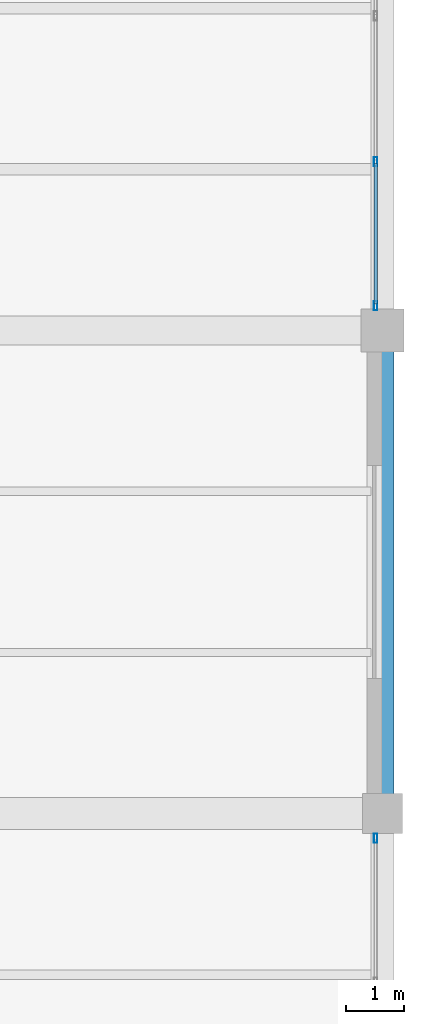
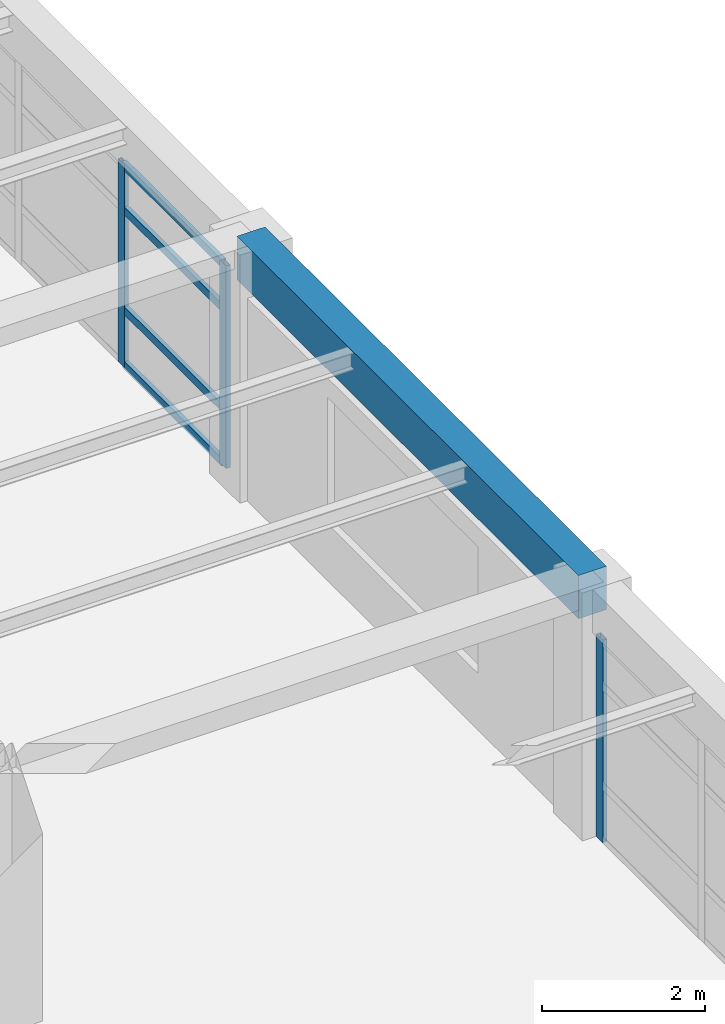
# One storey, part 14 of 26: 7 members, 1 beam, 2 elements without a shape of their own.
"""IFC4 building model written with IfcOpenShell, lengths in metres."""

from ifc_helpers import new_model, si_unit, direction, frame, origin, origin_2d, place, context, subcontext, project, spatial, rectangle, hollow_rectangle, extrude, material, material_profile, profile_set, type_object, element, aggregate, save


model = new_model("IFC4")

# Units and contexts
model_context = context("Model", 3, precision=1e-05, world=origin(), true_north=direction((0.0, 1.0)))
body_context = subcontext(model_context, "Body", "Model", "MODEL_VIEW")
ifc_project = project(units=[si_unit("LENGTHUNIT", "METRE"), si_unit("AREAUNIT", "SQUARE_METRE"), si_unit("VOLUMEUNIT", "CUBIC_METRE"), si_unit("PLANEANGLEUNIT", "RADIAN"), si_unit("MASSUNIT", "GRAM", prefix="KILO")], contexts=[model_context])

# Site, building, storey
site_placement = place(None, origin())
site = spatial("IfcSite", under=ifc_project, at=site_placement, CompositionType="ELEMENT")
building_placement = place(site_placement, origin())
building = spatial("IfcBuilding", under=site, at=building_placement, Name="Almacenes y Pasaje Nevantli", CompositionType="ELEMENT")
storey_placement = place(building_placement, frame((0.0, 0.0, 38.699951171875)))
storey = spatial("IfcBuildingStorey", under=building, at=storey_placement, Name="L09", CompositionType="ELEMENT", Elevation=38.699951171875)

# Beam
ifc_material_1 = material(Name="Concrete C35/45", Category="concrete")
ifc_material_profile_1 = material_profile(ifc_material_1, rectangle(XDim=0.39990234375, YDim=0.64990234375, at=origin_2d()), Name="RC-BM-400x650")
ifc_profile_set_1 = profile_set([ifc_material_profile_1], Name="Concrete C35/45")
beam_type = type_object("IfcBeamType", Name="BM-RC-400x650", PredefinedType="SPANDREL", material=ifc_profile_set_1)
beam_placement = place(storey_placement, frame((159.60009765625, 84.0, 3.39501953125), z_axis=(0.0, 1.0, 0.0), x_axis=(-1.0, 0.0, 0.0)))
element("IfcBeam", 1, at=beam_placement, inside=storey, type_object=beam_type, Name="L09 North-South Reinforced Concrete Beam #3795", PredefinedType="SPANDREL", context=body_context, shape_type="SweptSolid", body=[
    extrude(rectangle(XDim=0.39990234375, YDim=0.64990234375, at=origin_2d()), origin(), (0.0, 0.0, 1.0), 8.39990234375),
])

# Curtain wall, member
ifc_material_2 = material(Name="Thermally Broken Aluminium and Low-E Glass", Category="aluminium")
curtain_wall_type = type_object("IfcCurtainWallType", Name="CW-UNIT-TOWER", PredefinedType="USERDEFINED", material=ifc_material_2)
curtain_wall_1_placement = place(storey_placement, origin())
curtain_wall_1 = element("IfcCurtainWall", 2, at=curtain_wall_1_placement, inside=storey, type_object=curtain_wall_type, Name="L09 Tower East Curtain Wall Bay 10", ObjectType="UNITIZED CURTAIN WALL", PredefinedType="USERDEFINED")
ifc_material_3 = material(Name="Thermally Broken Anodized Aluminium", Category="aluminium")
ifc_material_profile_2 = material_profile(ifc_material_3, hollow_rectangle(XDim=0.06005859375, YDim=0.159912109375, WallThickness=0.00390625, at=origin_2d()), Name="ALU-MUL-60x160")
ifc_profile_set_2 = profile_set([ifc_material_profile_2], Name="Thermally Broken Anodized Aluminium")
member_type_1 = type_object("IfcMemberType", Name="CW-MUL-180", PredefinedType="MULLION", material=ifc_profile_set_2)
member_1_placement = place(storey_placement, frame((159.47998046875, 83.570068359375, 0.0), z_axis=(0.0, 0.0, 1.0), x_axis=(-1.0, 0.0, 0.0)))
member_1 = element("IfcMember", 3, at=member_1_placement, type_object=member_type_1, Name="CW-L09-138 mullion 4", PredefinedType="MULLION", context=body_context, shape_type="SweptSolid", body=[
    extrude(hollow_rectangle(XDim=0.06005859375, YDim=0.159912109375, WallThickness=0.00390625, at=origin_2d()), origin(), (0.0, 0.0, 1.0), 3.0400390625),
])
aggregate(curtain_wall_1, [member_1])

# Curtain wall, members
curtain_wall_2_placement = place(storey_placement, origin())
curtain_wall_2 = element("IfcCurtainWall", 4, at=curtain_wall_2_placement, inside=storey, type_object=curtain_wall_type, Name="L09 Tower East Curtain Wall Bay 12", ObjectType="UNITIZED CURTAIN WALL", PredefinedType="USERDEFINED")
member_2_placement = place(storey_placement, frame((159.47998046875, 92.830078125, 0.0), z_axis=(0.0, 0.0, 1.0), x_axis=(-1.0, 0.0, 0.0)))
member_2 = element("IfcMember", 5, at=member_2_placement, type_object=member_type_1, Name="CW-L09-140 mullion 1", PredefinedType="MULLION", context=body_context, shape_type="SweptSolid", body=[
    extrude(hollow_rectangle(XDim=0.06005859375, YDim=0.159912109375, WallThickness=0.00390625, at=origin_2d()), origin(), (0.0, 0.0, 1.0), 3.0400390625),
])
member_3_placement = place(storey_placement, frame((159.47998046875, 95.333251953125, 0.0), z_axis=(0.0, 0.0, 1.0), x_axis=(-1.0, 0.0, 0.0)))
member_3 = element("IfcMember", 6, at=member_3_placement, type_object=member_type_1, Name="CW-L09-140 mullion 2", PredefinedType="MULLION", context=body_context, shape_type="SweptSolid", body=[
    extrude(hollow_rectangle(XDim=0.06005859375, YDim=0.159912109375, WallThickness=0.00390625, at=origin_2d()), origin(), (0.0, 0.0, 1.0), 3.0400390625),
])
ifc_material_4 = material(Name="Thermally Broken Anodized Aluminium", Category="aluminium")
ifc_material_profile_3 = material_profile(ifc_material_4, hollow_rectangle(XDim=0.06005859375, YDim=0.1201171875, WallThickness=0.00341796875, at=origin_2d()), Name="ALU-TRN-60x120")
ifc_profile_set_3 = profile_set([ifc_material_profile_3], Name="Thermally Broken Anodized Aluminium")
member_type_2 = type_object("IfcMemberType", Name="CW-TRN-130", PredefinedType="USERDEFINED", material=ifc_profile_set_3)
member_4_placement = place(storey_placement, frame((159.47998046875, 92.860107421875, 0.030029296875), z_axis=(0.0, 1.0, 0.0), x_axis=(-1.0, 0.0, 0.0)))
member_4 = element("IfcMember", 7, at=member_4_placement, type_object=member_type_2, Name="CW-L09-140 transom 1.1", ObjectType="TRANSOM", PredefinedType="USERDEFINED", context=body_context, shape_type="SweptSolid", body=[
    extrude(hollow_rectangle(XDim=0.06005859375, YDim=0.1201171875, WallThickness=0.00341796875, at=origin_2d()), origin(), (0.0, 0.0, 1.0), 2.443115234375),
])
member_5_placement = place(storey_placement, frame((159.47998046875, 92.860107421875, 0.85009765625), z_axis=(0.0, 1.0, 0.0), x_axis=(-1.0, 0.0, 0.0)))
member_5 = element("IfcMember", 8, at=member_5_placement, type_object=member_type_2, Name="CW-L09-140 transom 1.2", ObjectType="TRANSOM", PredefinedType="USERDEFINED", context=body_context, shape_type="SweptSolid", body=[
    extrude(hollow_rectangle(XDim=0.06005859375, YDim=0.1201171875, WallThickness=0.00341796875, at=origin_2d()), origin(), (0.0, 0.0, 1.0), 2.443115234375),
])
member_6_placement = place(storey_placement, frame((159.47998046875, 92.860107421875, 2.35009765625), z_axis=(0.0, 1.0, 0.0), x_axis=(-1.0, 0.0, 0.0)))
member_6 = element("IfcMember", 9, at=member_6_placement, type_object=member_type_2, Name="CW-L09-140 transom 1.3", ObjectType="TRANSOM", PredefinedType="USERDEFINED", context=body_context, shape_type="SweptSolid", body=[
    extrude(hollow_rectangle(XDim=0.06005859375, YDim=0.1201171875, WallThickness=0.00341796875, at=origin_2d()), origin(), (0.0, 0.0, 1.0), 2.443115234375),
])
member_7_placement = place(storey_placement, frame((159.47998046875, 92.860107421875, 3.010009765625), z_axis=(0.0, 1.0, 0.0), x_axis=(-1.0, 0.0, 0.0)))
member_7 = element("IfcMember", 10, at=member_7_placement, type_object=member_type_2, Name="CW-L09-140 transom 1.4", ObjectType="TRANSOM", PredefinedType="USERDEFINED", context=body_context, shape_type="SweptSolid", body=[
    extrude(hollow_rectangle(XDim=0.06005859375, YDim=0.1201171875, WallThickness=0.00341796875, at=origin_2d()), origin(), (0.0, 0.0, 1.0), 2.443115234375),
])
aggregate(curtain_wall_2, [member_2, member_3, member_4, member_5, member_6, member_7])

save(model, "model.ifc")
